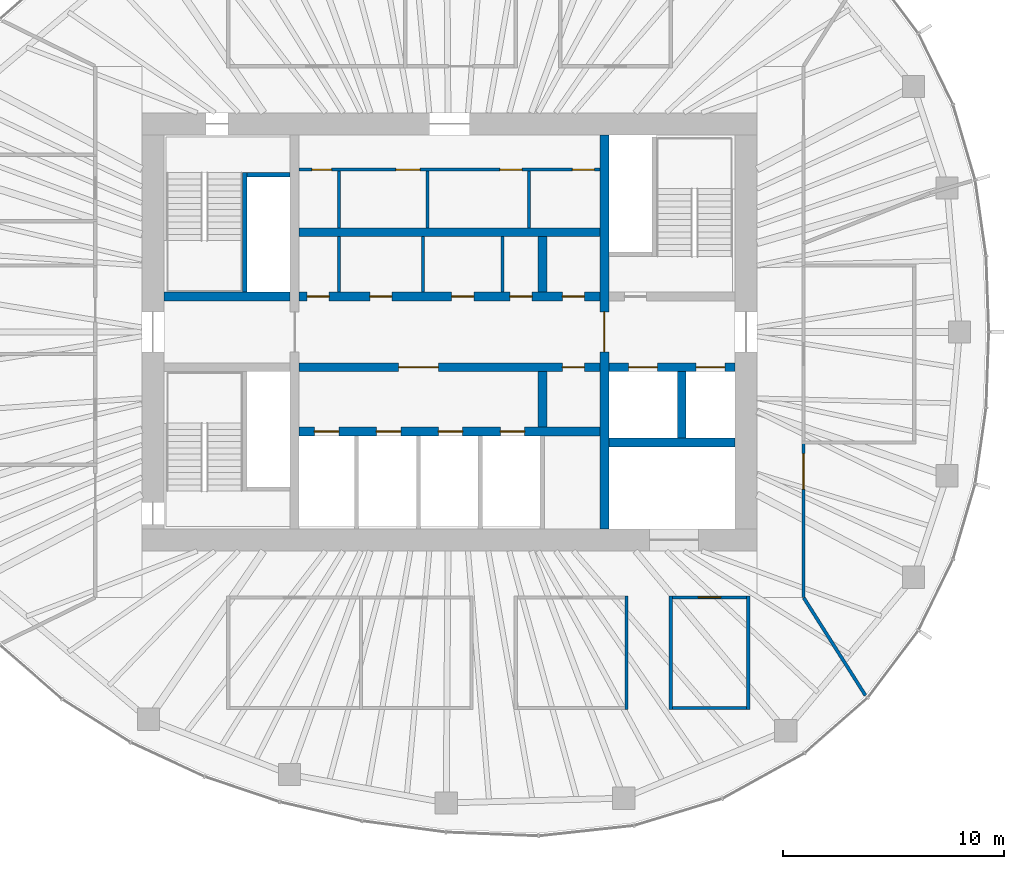
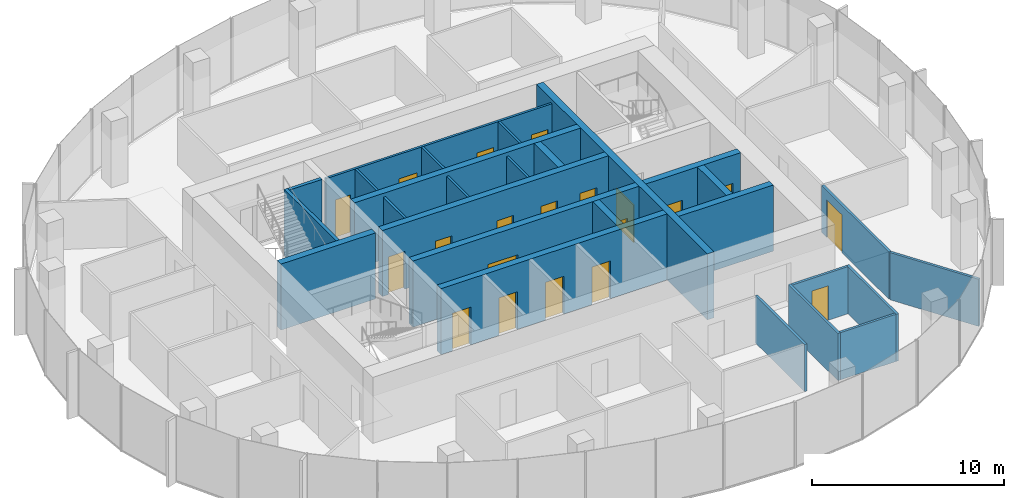
# One storey, part 9 of 11: 27 walls, 20 doors, 20 openings.
"""IFC4 building model written with IfcOpenShell, lengths in metres."""

from ifc_helpers import new_model, si_unit, direction, frame, frame_2d, origin, place, context, subcontext, project, spatial, rectangle, extrude, material, layer, layer_set, type_object, element, fill, save


model = new_model("IFC4")

# Units and contexts
model_context = context("Model", 3, precision=1e-05, world=origin(), true_north=direction((0.0, 1.0)))
body_context = subcontext(model_context, "Body", "Model", "MODEL_VIEW")
ifc_project = project(units=[si_unit("LENGTHUNIT", "METRE"), si_unit("AREAUNIT", "SQUARE_METRE"), si_unit("VOLUMEUNIT", "CUBIC_METRE"), si_unit("PLANEANGLEUNIT", "RADIAN"), si_unit("MASSUNIT", "GRAM", prefix="KILO")], contexts=[model_context])

# Site, building, storey
site_placement = place(None, origin())
site = spatial("IfcSite", under=ifc_project, at=site_placement, CompositionType="ELEMENT")
building_placement = place(site_placement, origin())
building = spatial("IfcBuilding", under=site, at=building_placement, Name="Ghaith Harvest Tower", CompositionType="ELEMENT")
storey_placement = place(building_placement, frame((0.0, 0.0, 330.0)))
storey = spatial("IfcBuildingStorey", under=building, at=storey_placement, Name="L74", CompositionType="ELEMENT", Elevation=330.0)

# Wall, openings, doors
ifc_material_1 = material(Name="Concrete blockwork, fair-faced", Category="masonry")
ifc_layer_1 = layer(ifc_material_1, 0.139892578125)
ifc_layer_set_1 = layer_set([ifc_layer_1], Name="CORE PARTITION 140")
wall_type_1 = type_object("IfcWallType", Name="CORE PARTITION 140", PredefinedType="PARTITIONING", material=ifc_layer_set_1)
wall_1_placement = place(storey_placement, frame((-6.800048828125, 7.330078125, 0.0), z_axis=(0.0, 0.0, 1.0), x_axis=(1.0, 0.0, 0.0)))
wall_1 = element("IfcWall", 1, at=wall_1_placement, inside=storey, type_object=wall_type_1, Name="Core partition L74", PredefinedType="PARTITIONING", context=body_context, shape_type="SweptSolid", body=[
    extrude(rectangle(XDim=13.60009765625, YDim=0.139892578125, at=frame_2d((6.800048828125, 0.0))), origin(), (0.0, 0.0, 1.0), 3.949951171875),
])
opening_1_placement = place(wall_1_placement, frame((0.580078125, 0.0, 0.0)))
opening_1 = element("IfcOpeningElement", 2, at=opening_1_placement, cuts=wall_1, Name="Opening 74-008", PredefinedType="OPENING", context=body_context, shape_type="SweptSolid", body=[
    extrude(rectangle(XDim=0.89990234375, YDim=2.39990234375, at=frame_2d((0.449951171875, 1.199951171875))), frame((0.0, 0.080078125, 0.0), z_axis=(0.0, -1.0, 0.0), x_axis=(1.0, 0.0, 0.0)), (0.0, 0.0, 1.0), 0.159912109375),
])
opening_2_placement = place(wall_1_placement, frame((4.3798828125, 0.0, 0.0)))
opening_2 = element("IfcOpeningElement", 3, at=opening_2_placement, cuts=wall_1, Name="Opening 74-009", PredefinedType="OPENING", context=body_context, shape_type="SweptSolid", body=[
    extrude(rectangle(XDim=1.10009765625, YDim=2.39990234375, at=frame_2d((0.550048828125, 1.199951171875))), frame((0.0, 0.080078125, 0.0), z_axis=(0.0, -1.0, 0.0), x_axis=(1.0, 0.0, 0.0)), (0.0, 0.0, 1.0), 0.159912109375),
])
opening_3_placement = place(wall_1_placement, frame((9.080078125, 0.0, 0.0)))
opening_3 = element("IfcOpeningElement", 4, at=opening_3_placement, cuts=wall_1, Name="Opening 74-010", PredefinedType="OPENING", context=body_context, shape_type="SweptSolid", body=[
    extrude(rectangle(XDim=1.0, YDim=2.39990234375, at=frame_2d((0.5, 1.199951171875))), frame((0.0, 0.080078125, 0.0), z_axis=(0.0, -1.0, 0.0), x_axis=(1.0, 0.0, 0.0)), (0.0, 0.0, 1.0), 0.159912109375),
])
opening_4_placement = place(wall_1_placement, frame((12.35009765625, 0.0, 0.0)))
opening_4 = element("IfcOpeningElement", 5, at=opening_4_placement, cuts=wall_1, Name="Opening 74-011", PredefinedType="OPENING", context=body_context, shape_type="SweptSolid", body=[
    extrude(rectangle(XDim=1.0, YDim=2.39990234375, at=frame_2d((0.5, 1.199951171875))), frame((0.0, 0.080078125, 0.0), z_axis=(0.0, -1.0, 0.0), x_axis=(1.0, 0.0, 0.0)), (0.0, 0.0, 1.0), 0.159912109375),
])
ifc_material_2 = material(Name="Steel fire door", Category="steel")
door_type_1 = type_object("IfcDoorType", Name="D3 FD90 1000x2400", OperationType="SINGLE_SWING_LEFT", PredefinedType="DOOR", material=ifc_material_2)
door_1_placement = place(opening_3_placement, origin())
door_1 = element("IfcDoor", 6, at=door_1_placement, inside=storey, type_object=door_type_1, Name="Male WC door", OperationType="SINGLE_SWING_RIGHT", OverallHeight=2.39990234375, OverallWidth=1.0, PredefinedType="DOOR", context=body_context, shape_type="SweptSolid", body=[
    extrude(rectangle(XDim=1.0, YDim=2.39990234375, at=frame_2d((0.5, 1.199951171875))), frame((0.0, 0.02490234375, 0.0), z_axis=(0.0, -1.0, 0.0), x_axis=(1.0, 0.0, 0.0)), (0.0, 0.0, 1.0), 0.050048828125),
])
fill(opening_3, door_1)
door_2_placement = place(opening_4_placement, origin())
door_2 = element("IfcDoor", 7, at=door_2_placement, inside=storey, type_object=door_type_1, Name="Female WC door", OperationType="SINGLE_SWING_RIGHT", OverallHeight=2.39990234375, OverallWidth=1.0, PredefinedType="DOOR", context=body_context, shape_type="SweptSolid", body=[
    extrude(rectangle(XDim=1.0, YDim=2.39990234375, at=frame_2d((0.5, 1.199951171875))), frame((0.0, 0.02490234375, 0.0), z_axis=(0.0, -1.0, 0.0), x_axis=(1.0, 0.0, 0.0)), (0.0, 0.0, 1.0), 0.050048828125),
])
fill(opening_4, door_2)
ifc_material_3 = material(Name="Steel fire door", Category="steel")
door_type_2 = type_object("IfcDoorType", Name="D5 FD90 900x2400", OperationType="SINGLE_SWING_LEFT", PredefinedType="DOOR", material=ifc_material_3)
door_3_placement = place(opening_1_placement, origin())
door_3 = element("IfcDoor", 8, at=door_3_placement, inside=storey, type_object=door_type_2, Name="Cleaner's store door", OperationType="SINGLE_SWING_LEFT", OverallHeight=2.39990234375, OverallWidth=0.89990234375, PredefinedType="DOOR", context=body_context, shape_type="SweptSolid", body=[
    extrude(rectangle(XDim=0.89990234375, YDim=2.39990234375, at=frame_2d((0.449951171875, 1.199951171875))), frame((0.0, 0.02490234375, 0.0), z_axis=(0.0, -1.0, 0.0), x_axis=(1.0, 0.0, 0.0)), (0.0, 0.0, 1.0), 0.050048828125),
])
fill(opening_1, door_3)
ifc_material_4 = material(Name="Steel fire door", Category="steel")
door_type_3 = type_object("IfcDoorType", Name="D9 FD90 1100x2400", OperationType="SINGLE_SWING_LEFT", PredefinedType="DOOR", material=ifc_material_4)
door_4_placement = place(opening_2_placement, origin())
door_4 = element("IfcDoor", 9, at=door_4_placement, inside=storey, type_object=door_type_3, Name="Accessible WC door", OperationType="SINGLE_SWING_LEFT", OverallHeight=2.39990234375, OverallWidth=1.10009765625, PredefinedType="DOOR", context=body_context, shape_type="SweptSolid", body=[
    extrude(rectangle(XDim=1.10009765625, YDim=2.39990234375, at=frame_2d((0.550048828125, 1.199951171875))), frame((0.0, 0.02490234375, 0.0), z_axis=(0.0, -1.0, 0.0), x_axis=(1.0, 0.0, 0.0)), (0.0, 0.0, 1.0), 0.050048828125),
])
fill(opening_2, door_4)

# Walls
for number, where, z_axis, x_axis, name in (
    (10, (-5.0, 4.699951171875, 0.0), (0.0, 0.0, 1.0), (0.0, 1.0, 0.0), "Core partition L74"),
    (11, (-1.0, 4.699951171875, 0.0), (0.0, 0.0, 1.0), (0.0, 1.0, 0.0), "Core partition L74"),
    (12, (3.60009765625, 4.699951171875, 0.0), (0.0, 0.0, 1.0), (0.0, 1.0, 0.0), "Core partition L74"),
):
    element("IfcWall", number, at=place(storey_placement, frame(where, z_axis=z_axis, x_axis=x_axis)), inside=storey, type_object=wall_type_1, Name=name, PredefinedType="PARTITIONING", context=body_context, shape_type="SweptSolid", body=[
        extrude(rectangle(XDim=2.56005859375, YDim=0.139892578125, at=frame_2d((1.280029296875, 0.0))), origin(), (0.0, 0.0, 1.0), 3.949951171875),
    ])
for number, where, z_axis, x_axis, name in (
    (13, (-5.0, 1.800048828125, 0.0), (0.0, 0.0, 1.0), (0.0, 1.0, 0.0), "Core partition L74"),
    (14, (-1.199951171875, 1.800048828125, 0.0), (0.0, 0.0, 1.0), (0.0, 1.0, 0.0), "Core partition L74"),
    (15, (2.39990234375, 1.800048828125, 0.0), (0.0, 0.0, 1.0), (0.0, 1.0, 0.0), "Core partition L74"),
):
    element("IfcWall", number, at=place(storey_placement, frame(where, z_axis=z_axis, x_axis=x_axis)), inside=storey, type_object=wall_type_1, Name=name, PredefinedType="PARTITIONING", context=body_context, shape_type="SweptSolid", body=[
        extrude(rectangle(XDim=2.5, YDim=0.139892578125, at=frame_2d((1.25, 0.0))), origin(), (0.0, 0.0, 1.0), 3.949951171875),
    ])
ifc_material_5 = material(Name="Gypsum board on steel studs", Category="steel")
ifc_layer_2 = layer(ifc_material_5, 0.14990234375)
ifc_layer_set_2 = layer_set([ifc_layer_2], Name="PARTITION 150")
wall_type_2 = type_object("IfcWallType", Name="PARTITION 150", PredefinedType="PARTITIONING", material=ifc_layer_set_2)
for number, where, z_axis, x_axis, name in (
    (16, (8.0, -11.925048828125, 0.0), (0.0, 0.0, 1.0), (0.0, -1.0, 0.0), "Partition L74 row S4 cross wall 2"),
    (17, (10.0, -11.925048828125, 0.0), (0.0, 0.0, 1.0), (0.0, -1.0, 0.0), "Partition L74 row S7 cross wall 1"),
    (18, (13.5, -11.925048828125, 0.0), (0.0, 0.0, 1.0), (0.0, -1.0, 0.0), "Partition L74 row S7 cross wall 2"),
):
    element("IfcWall", number, at=place(storey_placement, frame(where, z_axis=z_axis, x_axis=x_axis)), inside=storey, type_object=wall_type_2, Name=name, PredefinedType="PARTITIONING", context=body_context, shape_type="SweptSolid", body=[
        extrude(rectangle(XDim=5.14990234375, YDim=0.14990234375, at=frame_2d((2.574951171875, 0.0))), origin(), (0.0, 0.0, 1.0), 3.0),
    ])

# Wall, opening, door
wall_2_placement = place(storey_placement, frame((10.074951171875, -12.0, 0.0), z_axis=(0.0, 0.0, 1.0), x_axis=(1.0, 0.0, 0.0)))
wall_2 = element("IfcWall", 19, at=wall_2_placement, inside=storey, type_object=wall_type_2, Name="Partition L74-10", PredefinedType="PARTITIONING", context=body_context, shape_type="SweptSolid", body=[
    extrude(rectangle(XDim=3.35009765625, YDim=0.14990234375, at=frame_2d((1.675048828125, 0.0))), origin(), (0.0, 0.0, 1.0), 3.0),
])
opening_5_placement = place(wall_2_placement, frame((1.175048828125, 0.0, 0.0)))
opening_5 = element("IfcOpeningElement", 20, at=opening_5_placement, cuts=wall_2, Name="Opening 74-036", PredefinedType="OPENING", context=body_context, shape_type="SweptSolid", body=[
    extrude(rectangle(XDim=1.0, YDim=2.199951171875, at=frame_2d((0.5, 1.10009765625))), frame((0.0, 0.0849609375, 0.0), z_axis=(0.0, -1.0, 0.0), x_axis=(1.0, 0.0, 0.0)), (0.0, 0.0, 1.0), 0.169921875),
])
ifc_material_6 = material(Name="Timber door", Category="wood")
door_type_4 = type_object("IfcDoorType", Name="D1 SINGLE 1000x2200", OperationType="SINGLE_SWING_LEFT", PredefinedType="DOOR", material=ifc_material_6)
door_5_placement = place(opening_5_placement, origin())
door_5 = element("IfcDoor", 21, at=door_5_placement, inside=storey, type_object=door_type_4, Name="Store door", OperationType="SINGLE_SWING_LEFT", OverallHeight=2.199951171875, OverallWidth=1.0, PredefinedType="DOOR", context=body_context, shape_type="SweptSolid", body=[
    extrude(rectangle(XDim=1.0, YDim=2.199951171875, at=frame_2d((0.5, 1.10009765625))), frame((0.0, 0.02490234375, 0.0), z_axis=(0.0, -1.0, 0.0), x_axis=(1.0, 0.0, 0.0)), (0.0, 0.0, 1.0), 0.050048828125),
])
fill(opening_5, door_5)

# Walls
wall_3_placement = place(storey_placement, frame((10.074951171875, -17.0, 0.0), z_axis=(0.0, 0.0, 1.0), x_axis=(1.0, 0.0, 0.0)))
element("IfcWall", 22, at=wall_3_placement, inside=storey, type_object=wall_type_2, Name="Partition L74-10", PredefinedType="PARTITIONING", context=body_context, shape_type="SweptSolid", body=[
    extrude(rectangle(XDim=3.35009765625, YDim=0.14990234375, at=frame_2d((1.675048828125, 0.0))), origin(), (0.0, 0.0, 1.0), 3.0),
])
wall_4_placement = place(storey_placement, frame((16.0107421875, -12.016845703125, 0.0), z_axis=(0.0, 0.0, 1.0), x_axis=(0.53415837449, -0.845384427916, 0.0)))
element("IfcWall", 23, at=wall_4_placement, inside=storey, type_object=wall_type_2, Name="Partition L74 zone division", PredefinedType="PARTITIONING", context=body_context, shape_type="SweptSolid", body=[
    extrude(rectangle(XDim=5.220458984375, YDim=0.14990234375, at=frame_2d((2.6103515625, 0.0))), origin(), (0.0, 0.0, 1.0), 3.0),
])

# Wall, opening, door
wall_5_placement = place(storey_placement, frame((16.0, -12.0, 0.0), z_axis=(0.0, 0.0, 1.0), x_axis=(0.0, 1.0, 0.0)))
wall_5 = element("IfcWall", 24, at=wall_5_placement, inside=storey, type_object=wall_type_2, Name="Partition L74 zone enclosure", PredefinedType="PARTITIONING", context=body_context, shape_type="SweptSolid", body=[
    extrude(rectangle(XDim=7.0, YDim=0.14990234375, at=frame_2d((3.5, 0.0))), origin(), (0.0, 0.0, 1.0), 3.0),
])
opening_6_placement = place(wall_5_placement, frame((4.89990234375, 0.0, 0.0)))
opening_6 = element("IfcOpeningElement", 25, at=opening_6_placement, cuts=wall_5, Name="Opening 74-039", PredefinedType="OPENING", context=body_context, shape_type="SweptSolid", body=[
    extrude(rectangle(XDim=1.60009765625, YDim=2.39990234375, at=frame_2d((0.800048828125, 1.199951171875))), frame((0.0, 0.0849609375, 0.0), z_axis=(0.0, -1.0, 0.0), x_axis=(1.0, 0.0, 0.0)), (0.0, 0.0, 1.0), 0.169921875),
])
ifc_material_7 = material(Name="Timber door", Category="wood")
door_type_5 = type_object("IfcDoorType", Name="D2 PAIR 1600x2400", OperationType="DOUBLE_DOOR_SINGLE_SWING", PredefinedType="DOOR", material=ifc_material_7)
door_6_placement = place(opening_6_placement, origin())
door_6 = element("IfcDoor", 26, at=door_6_placement, inside=storey, type_object=door_type_5, Name="Chef's growing area east 2 door", OperationType="DOUBLE_DOOR_SINGLE_SWING", OverallHeight=2.39990234375, OverallWidth=1.60009765625, PredefinedType="DOOR", context=body_context, shape_type="SweptSolid", body=[
    extrude(rectangle(XDim=1.60009765625, YDim=2.39990234375, at=frame_2d((0.800048828125, 1.199951171875))), frame((0.0, 0.02490234375, 0.0), z_axis=(0.0, -1.0, 0.0), x_axis=(1.0, 0.0, 0.0)), (0.0, 0.0, 1.0), 0.050048828125),
])
fill(opening_6, door_6)

ifc_material_8 = material(Name="Concrete C70/85", Category="concrete")
ifc_layer_3 = layer(ifc_material_8, 0.39990234375)
ifc_layer_set_3 = layer_set([ifc_layer_3], Name="SHAFT WALL 400")
wall_type_3 = type_object("IfcWallType", Name="SHAFT WALL 400", PredefinedType="SHEAR", material=ifc_layer_set_3)
wall_6_placement = place(storey_placement, frame((7.0, -8.89990234375, 0.0), z_axis=(0.0, 0.0, 1.0), x_axis=(0.0, 1.0, 0.0)))
wall_6 = element("IfcWall", 27, at=wall_6_placement, inside=storey, type_object=wall_type_3, Name="Shaft wall W7E L74", PredefinedType="SHEAR", context=body_context, shape_type="SweptSolid", body=[
    extrude(rectangle(XDim=17.7998046875, YDim=0.39990234375, at=frame_2d((8.89990234375, 0.0))), origin(), (0.0, 0.0, 1.0), 4.199951171875),
])
opening_7_placement = place(wall_6_placement, frame((8.0, 0.0, 0.0)))
opening_7 = element("IfcOpeningElement", 28, at=opening_7_placement, cuts=wall_6, Name="Opening 74-004", PredefinedType="OPENING", context=body_context, shape_type="SweptSolid", body=[
    extrude(rectangle(XDim=1.800048828125, YDim=2.39990234375, at=frame_2d((0.89990234375, 1.199951171875))), frame((0.0, 0.2099609375, 0.0), z_axis=(0.0, -1.0, 0.0), x_axis=(1.0, 0.0, 0.0)), (0.0, 0.0, 1.0), 0.419921875),
])
ifc_material_9 = material(Name="Steel fire door", Category="steel")
door_type_6 = type_object("IfcDoorType", Name="D4 FD90 PAIR 1800x2400", OperationType="DOUBLE_DOOR_SINGLE_SWING", PredefinedType="DOOR", material=ifc_material_9)
door_7_placement = place(opening_7_placement, origin())
door_7 = element("IfcDoor", 29, at=door_7_placement, inside=storey, type_object=door_type_6, Name="Lift lobby doors, east", OperationType="DOUBLE_DOOR_SINGLE_SWING", OverallHeight=2.39990234375, OverallWidth=1.800048828125, PredefinedType="DOOR", context=body_context, shape_type="SweptSolid", body=[
    extrude(rectangle(XDim=1.800048828125, YDim=2.39990234375, at=frame_2d((0.89990234375, 1.199951171875))), frame((0.0, 0.02490234375, 0.0), z_axis=(0.0, -1.0, 0.0), x_axis=(1.0, 0.0, 0.0)), (0.0, 0.0, 1.0), 0.050048828125),
])
fill(opening_7, door_7)

# Wall, openings, doors
wall_7_placement = place(storey_placement, frame((-6.800048828125, 1.60009765625, 0.0), z_axis=(0.0, 0.0, 1.0), x_axis=(1.0, 0.0, 0.0)))
wall_7 = element("IfcWall", 30, at=wall_7_placement, inside=storey, type_object=wall_type_3, Name="Shaft wall LN L74", PredefinedType="SHEAR", context=body_context, shape_type="SweptSolid", body=[
    extrude(rectangle(XDim=13.60009765625, YDim=0.39990234375, at=frame_2d((6.800048828125, 0.0))), origin(), (0.0, 0.0, 1.0), 4.199951171875),
])
opening_8_placement = place(wall_7_placement, frame((0.364990234375, 0.0, 0.0)))
opening_8 = element("IfcOpeningElement", 31, at=opening_8_placement, cuts=wall_7, Name="Opening 74-012", PredefinedType="OPENING", context=body_context, shape_type="SweptSolid", body=[
    extrude(rectangle(XDim=1.0, YDim=2.39990234375, at=frame_2d((0.5, 1.199951171875))), frame((0.0, 0.2099609375, 0.0), z_axis=(0.0, -1.0, 0.0), x_axis=(1.0, 0.0, 0.0)), (0.0, 0.0, 1.0), 0.419921875),
])
opening_9_placement = place(wall_7_placement, frame((3.199951171875, 0.0, 0.0)))
opening_9 = element("IfcOpeningElement", 32, at=opening_9_placement, cuts=wall_7, Name="Opening 74-013", PredefinedType="OPENING", context=body_context, shape_type="SweptSolid", body=[
    extrude(rectangle(XDim=1.0, YDim=2.39990234375, at=frame_2d((0.5, 1.199951171875))), frame((0.0, 0.2099609375, 0.0), z_axis=(0.0, -1.0, 0.0), x_axis=(1.0, 0.0, 0.0)), (0.0, 0.0, 1.0), 0.419921875),
])
opening_10_placement = place(wall_7_placement, frame((6.89990234375, 0.0, 0.0)))
opening_10 = element("IfcOpeningElement", 33, at=opening_10_placement, cuts=wall_7, Name="Opening 74-014", PredefinedType="OPENING", context=body_context, shape_type="SweptSolid", body=[
    extrude(rectangle(XDim=1.0, YDim=2.39990234375, at=frame_2d((0.5, 1.199951171875))), frame((0.0, 0.2099609375, 0.0), z_axis=(0.0, -1.0, 0.0), x_axis=(1.0, 0.0, 0.0)), (0.0, 0.0, 1.0), 0.419921875),
])
opening_11_placement = place(wall_7_placement, frame((9.534912109375, 0.0, 0.0)))
opening_11 = element("IfcOpeningElement", 34, at=opening_11_placement, cuts=wall_7, Name="Opening 74-015", PredefinedType="OPENING", context=body_context, shape_type="SweptSolid", body=[
    extrude(rectangle(XDim=1.0, YDim=2.39990234375, at=frame_2d((0.5, 1.199951171875))), frame((0.0, 0.2099609375, 0.0), z_axis=(0.0, -1.0, 0.0), x_axis=(1.0, 0.0, 0.0)), (0.0, 0.0, 1.0), 0.419921875),
])
opening_12_placement = place(wall_7_placement, frame((11.89990234375, 0.0, 0.0)))
opening_12 = element("IfcOpeningElement", 35, at=opening_12_placement, cuts=wall_7, Name="Opening 74-016", PredefinedType="OPENING", context=body_context, shape_type="SweptSolid", body=[
    extrude(rectangle(XDim=1.0, YDim=2.39990234375, at=frame_2d((0.5, 1.199951171875))), frame((0.0, 0.2099609375, 0.0), z_axis=(0.0, -1.0, 0.0), x_axis=(1.0, 0.0, 0.0)), (0.0, 0.0, 1.0), 0.419921875),
])
door_8_placement = place(opening_8_placement, origin())
door_8 = element("IfcDoor", 36, at=door_8_placement, inside=storey, type_object=door_type_1, Name="Electrical room door", OperationType="SINGLE_SWING_LEFT", OverallHeight=2.39990234375, OverallWidth=1.0, PredefinedType="DOOR", context=body_context, shape_type="SweptSolid", body=[
    extrude(rectangle(XDim=1.0, YDim=2.39990234375, at=frame_2d((0.5, 1.199951171875))), frame((0.0, 0.02490234375, 0.0), z_axis=(0.0, -1.0, 0.0), x_axis=(1.0, 0.0, 0.0)), (0.0, 0.0, 1.0), 0.050048828125),
])
fill(opening_8, door_8)
door_9_placement = place(opening_9_placement, origin())
door_9 = element("IfcDoor", 37, at=door_9_placement, inside=storey, type_object=door_type_1, Name="Communications equipment room door", OperationType="SINGLE_SWING_LEFT", OverallHeight=2.39990234375, OverallWidth=1.0, PredefinedType="DOOR", context=body_context, shape_type="SweptSolid", body=[
    extrude(rectangle(XDim=1.0, YDim=2.39990234375, at=frame_2d((0.5, 1.199951171875))), frame((0.0, 0.02490234375, 0.0), z_axis=(0.0, -1.0, 0.0), x_axis=(1.0, 0.0, 0.0)), (0.0, 0.0, 1.0), 0.050048828125),
])
fill(opening_9, door_9)
door_10_placement = place(opening_10_placement, origin())
door_10 = element("IfcDoor", 38, at=door_10_placement, inside=storey, type_object=door_type_1, Name="Security room door", OperationType="SINGLE_SWING_RIGHT", OverallHeight=2.39990234375, OverallWidth=1.0, PredefinedType="DOOR", context=body_context, shape_type="SweptSolid", body=[
    extrude(rectangle(XDim=1.0, YDim=2.39990234375, at=frame_2d((0.5, 1.199951171875))), frame((0.0, 0.02490234375, 0.0), z_axis=(0.0, -1.0, 0.0), x_axis=(1.0, 0.0, 0.0)), (0.0, 0.0, 1.0), 0.050048828125),
])
fill(opening_10, door_10)
door_11_placement = place(opening_11_placement, origin())
door_11 = element("IfcDoor", 39, at=door_11_placement, inside=storey, type_object=door_type_1, Name="IT equipment room door", OperationType="SINGLE_SWING_RIGHT", OverallHeight=2.39990234375, OverallWidth=1.0, PredefinedType="DOOR", context=body_context, shape_type="SweptSolid", body=[
    extrude(rectangle(XDim=1.0, YDim=2.39990234375, at=frame_2d((0.5, 1.199951171875))), frame((0.0, 0.02490234375, 0.0), z_axis=(0.0, -1.0, 0.0), x_axis=(1.0, 0.0, 0.0)), (0.0, 0.0, 1.0), 0.050048828125),
])
fill(opening_11, door_11)
door_12_placement = place(opening_12_placement, origin())
door_12 = element("IfcDoor", 40, at=door_12_placement, inside=storey, type_object=door_type_1, Name="IT equipment room door", OperationType="SINGLE_SWING_RIGHT", OverallHeight=2.39990234375, OverallWidth=1.0, PredefinedType="DOOR", context=body_context, shape_type="SweptSolid", body=[
    extrude(rectangle(XDim=1.0, YDim=2.39990234375, at=frame_2d((0.5, 1.199951171875))), frame((0.0, 0.02490234375, 0.0), z_axis=(0.0, -1.0, 0.0), x_axis=(1.0, 0.0, 0.0)), (0.0, 0.0, 1.0), 0.050048828125),
])
fill(opening_12, door_12)

wall_8_placement = place(storey_placement, frame((-6.800048828125, -1.60009765625, 0.0), z_axis=(0.0, 0.0, 1.0), x_axis=(1.0, 0.0, 0.0)))
wall_8 = element("IfcWall", 41, at=wall_8_placement, inside=storey, type_object=wall_type_3, Name="Shaft wall LS L74", PredefinedType="SHEAR", context=body_context, shape_type="SweptSolid", body=[
    extrude(rectangle(XDim=13.60009765625, YDim=0.39990234375, at=frame_2d((6.800048828125, 0.0))), origin(), (0.0, 0.0, 1.0), 4.199951171875),
])
opening_13_placement = place(wall_8_placement, frame((11.89990234375, 0.0, 0.0)))
opening_13 = element("IfcOpeningElement", 42, at=opening_13_placement, cuts=wall_8, Name="Opening 74-017", PredefinedType="OPENING", context=body_context, shape_type="SweptSolid", body=[
    extrude(rectangle(XDim=1.0, YDim=2.39990234375, at=frame_2d((0.5, 1.199951171875))), frame((0.0, 0.2099609375, 0.0), z_axis=(0.0, -1.0, 0.0), x_axis=(1.0, 0.0, 0.0)), (0.0, 0.0, 1.0), 0.419921875),
])
opening_14_placement = place(wall_8_placement, frame((4.5, 0.0, 0.0)))
opening_14 = element("IfcOpeningElement", 43, at=opening_14_placement, cuts=wall_8, Name="Opening 74-018", PredefinedType="OPENING", context=body_context, shape_type="SweptSolid", body=[
    extrude(rectangle(XDim=1.800048828125, YDim=2.39990234375, at=frame_2d((0.89990234375, 1.199951171875))), frame((0.0, 0.2099609375, 0.0), z_axis=(0.0, -1.0, 0.0), x_axis=(1.0, 0.0, 0.0)), (0.0, 0.0, 1.0), 0.419921875),
])
door_13_placement = place(opening_13_placement, origin())
door_13 = element("IfcDoor", 44, at=door_13_placement, inside=storey, type_object=door_type_1, Name="Vending point door", OperationType="SINGLE_SWING_RIGHT", OverallHeight=2.39990234375, OverallWidth=1.0, PredefinedType="DOOR", context=body_context, shape_type="SweptSolid", body=[
    extrude(rectangle(XDim=1.0, YDim=2.39990234375, at=frame_2d((0.5, 1.199951171875))), frame((0.0, 0.02490234375, 0.0), z_axis=(0.0, -1.0, 0.0), x_axis=(1.0, 0.0, 0.0)), (0.0, 0.0, 1.0), 0.050048828125),
])
fill(opening_13, door_13)
door_14_placement = place(opening_14_placement, origin())
door_14 = element("IfcDoor", 45, at=door_14_placement, inside=storey, type_object=door_type_6, Name="Lift lobby doors, upper-zone bank", OperationType="DOUBLE_DOOR_SINGLE_SWING", OverallHeight=2.39990234375, OverallWidth=1.800048828125, PredefinedType="DOOR", context=body_context, shape_type="SweptSolid", body=[
    extrude(rectangle(XDim=1.800048828125, YDim=2.39990234375, at=frame_2d((0.89990234375, 1.199951171875))), frame((0.0, 0.02490234375, 0.0), z_axis=(0.0, -1.0, 0.0), x_axis=(1.0, 0.0, 0.0)), (0.0, 0.0, 1.0), 0.050048828125),
])
fill(opening_14, door_14)

# Wall
wall_9_placement = place(storey_placement, frame((-6.800048828125, 4.5, 0.0), z_axis=(0.0, 0.0, 1.0), x_axis=(1.0, 0.0, 0.0)))
element("IfcWall", 46, at=wall_9_placement, inside=storey, type_object=wall_type_3, Name="Shaft wall BN L74", PredefinedType="SHEAR", context=body_context, shape_type="SweptSolid", body=[
    extrude(rectangle(XDim=13.60009765625, YDim=0.39990234375, at=frame_2d((6.800048828125, 0.0))), origin(), (0.0, 0.0, 1.0), 4.199951171875),
])

# Wall, openings, doors
wall_10_placement = place(storey_placement, frame((-6.800048828125, -4.5, 0.0), z_axis=(0.0, 0.0, 1.0), x_axis=(1.0, 0.0, 0.0)))
wall_10 = element("IfcWall", 47, at=wall_10_placement, inside=storey, type_object=wall_type_3, Name="Shaft wall BS L74", PredefinedType="SHEAR", context=body_context, shape_type="SweptSolid", body=[
    extrude(rectangle(XDim=13.60009765625, YDim=0.39990234375, at=frame_2d((6.800048828125, 0.0))), origin(), (0.0, 0.0, 1.0), 4.199951171875),
])
opening_15_placement = place(wall_10_placement, frame((0.699951171875, 0.0, 0.0)))
opening_15 = element("IfcOpeningElement", 48, at=opening_15_placement, cuts=wall_10, Name="Opening 74-020", PredefinedType="OPENING", context=body_context, shape_type="SweptSolid", body=[
    extrude(rectangle(XDim=1.10009765625, YDim=2.39990234375, at=frame_2d((0.550048828125, 1.199951171875))), frame((0.0, 0.2099609375, 0.0), z_axis=(0.0, -1.0, 0.0), x_axis=(1.0, 0.0, 0.0)), (0.0, 0.0, 1.0), 0.419921875),
])
opening_16_placement = place(wall_10_placement, frame((3.5, 0.0, 0.0)))
opening_16 = element("IfcOpeningElement", 49, at=opening_16_placement, cuts=wall_10, Name="Opening 74-021", PredefinedType="OPENING", context=body_context, shape_type="SweptSolid", body=[
    extrude(rectangle(XDim=1.10009765625, YDim=2.39990234375, at=frame_2d((0.550048828125, 1.199951171875))), frame((0.0, 0.2099609375, 0.0), z_axis=(0.0, -1.0, 0.0), x_axis=(1.0, 0.0, 0.0)), (0.0, 0.0, 1.0), 0.419921875),
])
opening_17_placement = place(wall_10_placement, frame((6.300048828125, 0.0, 0.0)))
opening_17 = element("IfcOpeningElement", 50, at=opening_17_placement, cuts=wall_10, Name="Opening 74-022", PredefinedType="OPENING", context=body_context, shape_type="SweptSolid", body=[
    extrude(rectangle(XDim=1.10009765625, YDim=2.39990234375, at=frame_2d((0.550048828125, 1.199951171875))), frame((0.0, 0.2099609375, 0.0), z_axis=(0.0, -1.0, 0.0), x_axis=(1.0, 0.0, 0.0)), (0.0, 0.0, 1.0), 0.419921875),
])
opening_18_placement = place(wall_10_placement, frame((9.10009765625, 0.0, 0.0)))
opening_18 = element("IfcOpeningElement", 51, at=opening_18_placement, cuts=wall_10, Name="Opening 74-023", PredefinedType="OPENING", context=body_context, shape_type="SweptSolid", body=[
    extrude(rectangle(XDim=1.10009765625, YDim=2.39990234375, at=frame_2d((0.550048828125, 1.199951171875))), frame((0.0, 0.2099609375, 0.0), z_axis=(0.0, -1.0, 0.0), x_axis=(1.0, 0.0, 0.0)), (0.0, 0.0, 1.0), 0.419921875),
])
ifc_material_10 = material(Name="Steel fire door", Category="steel")
door_type_7 = type_object("IfcDoorType", Name="LD1 LANDING 1100x2400", OperationType="DOUBLE_DOOR_SLIDING", PredefinedType="DOOR", material=ifc_material_10)
door_15_placement = place(opening_15_placement, origin())
door_15 = element("IfcDoor", 52, at=door_15_placement, inside=storey, type_object=door_type_7, Name="Landing door, lift TR1", OperationType="DOUBLE_DOOR_SLIDING", OverallHeight=2.39990234375, OverallWidth=1.10009765625, PredefinedType="DOOR", context=body_context, shape_type="SweptSolid", body=[
    extrude(rectangle(XDim=1.10009765625, YDim=2.39990234375, at=frame_2d((0.550048828125, 1.199951171875))), frame((0.0, 0.02490234375, 0.0), z_axis=(0.0, -1.0, 0.0), x_axis=(1.0, 0.0, 0.0)), (0.0, 0.0, 1.0), 0.050048828125),
])
fill(opening_15, door_15)
door_16_placement = place(opening_16_placement, origin())
door_16 = element("IfcDoor", 53, at=door_16_placement, inside=storey, type_object=door_type_7, Name="Landing door, lift TR2", OperationType="DOUBLE_DOOR_SLIDING", OverallHeight=2.39990234375, OverallWidth=1.10009765625, PredefinedType="DOOR", context=body_context, shape_type="SweptSolid", body=[
    extrude(rectangle(XDim=1.10009765625, YDim=2.39990234375, at=frame_2d((0.550048828125, 1.199951171875))), frame((0.0, 0.02490234375, 0.0), z_axis=(0.0, -1.0, 0.0), x_axis=(1.0, 0.0, 0.0)), (0.0, 0.0, 1.0), 0.050048828125),
])
fill(opening_16, door_16)
door_17_placement = place(opening_17_placement, origin())
door_17 = element("IfcDoor", 54, at=door_17_placement, inside=storey, type_object=door_type_7, Name="Landing door, lift TR3", OperationType="DOUBLE_DOOR_SLIDING", OverallHeight=2.39990234375, OverallWidth=1.10009765625, PredefinedType="DOOR", context=body_context, shape_type="SweptSolid", body=[
    extrude(rectangle(XDim=1.10009765625, YDim=2.39990234375, at=frame_2d((0.550048828125, 1.199951171875))), frame((0.0, 0.02490234375, 0.0), z_axis=(0.0, -1.0, 0.0), x_axis=(1.0, 0.0, 0.0)), (0.0, 0.0, 1.0), 0.050048828125),
])
fill(opening_17, door_17)
door_18_placement = place(opening_18_placement, origin())
door_18 = element("IfcDoor", 55, at=door_18_placement, inside=storey, type_object=door_type_7, Name="Landing door, lift TR4", OperationType="DOUBLE_DOOR_SLIDING", OverallHeight=2.39990234375, OverallWidth=1.10009765625, PredefinedType="DOOR", context=body_context, shape_type="SweptSolid", body=[
    extrude(rectangle(XDim=1.10009765625, YDim=2.39990234375, at=frame_2d((0.550048828125, 1.199951171875))), frame((0.0, 0.02490234375, 0.0), z_axis=(0.0, -1.0, 0.0), x_axis=(1.0, 0.0, 0.0)), (0.0, 0.0, 1.0), 0.050048828125),
])
fill(opening_18, door_18)

# Wall
wall_11_placement = place(storey_placement, frame((-12.89990234375, 1.60009765625, 0.0), z_axis=(0.0, 0.0, 1.0), x_axis=(1.0, 0.0, 0.0)))
element("IfcWall", 56, at=wall_11_placement, inside=storey, type_object=wall_type_3, Name="Shaft wall WN L74", PredefinedType="SHEAR", context=body_context, shape_type="SweptSolid", body=[
    extrude(rectangle(XDim=5.699951171875, YDim=0.39990234375, at=frame_2d((2.85009765625, 0.0))), origin(), (0.0, 0.0, 1.0), 4.199951171875),
])

# Wall, openings, doors
wall_12_placement = place(storey_placement, frame((7.199951171875, -1.60009765625, 0.0), z_axis=(0.0, 0.0, 1.0), x_axis=(1.0, 0.0, 0.0)))
wall_12 = element("IfcWall", 57, at=wall_12_placement, inside=storey, type_object=wall_type_3, Name="Shaft wall ES L74", PredefinedType="SHEAR", context=body_context, shape_type="SweptSolid", body=[
    extrude(rectangle(XDim=5.699951171875, YDim=0.39990234375, at=frame_2d((2.85009765625, 0.0))), origin(), (0.0, 0.0, 1.0), 4.199951171875),
])
opening_19_placement = place(wall_12_placement, frame((0.89990234375, 0.0, 0.0)))
opening_19 = element("IfcOpeningElement", 58, at=opening_19_placement, cuts=wall_12, Name="Opening 74-024", PredefinedType="OPENING", context=body_context, shape_type="SweptSolid", body=[
    extrude(rectangle(XDim=1.300048828125, YDim=2.39990234375, at=frame_2d((0.64990234375, 1.199951171875))), frame((0.0, 0.2099609375, 0.0), z_axis=(0.0, -1.0, 0.0), x_axis=(1.0, 0.0, 0.0)), (0.0, 0.0, 1.0), 0.419921875),
])
opening_20_placement = place(wall_12_placement, frame((3.949951171875, 0.0, 0.0)))
opening_20 = element("IfcOpeningElement", 59, at=opening_20_placement, cuts=wall_12, Name="Opening 74-025", PredefinedType="OPENING", context=body_context, shape_type="SweptSolid", body=[
    extrude(rectangle(XDim=1.300048828125, YDim=2.39990234375, at=frame_2d((0.64990234375, 1.199951171875))), frame((0.0, 0.2099609375, 0.0), z_axis=(0.0, -1.0, 0.0), x_axis=(1.0, 0.0, 0.0)), (0.0, 0.0, 1.0), 0.419921875),
])
ifc_material_11 = material(Name="Steel fire door", Category="steel")
door_type_8 = type_object("IfcDoorType", Name="LD2 LANDING 1300x2400", OperationType="DOUBLE_DOOR_SLIDING", PredefinedType="DOOR", material=ifc_material_11)
door_19_placement = place(opening_19_placement, origin())
door_19 = element("IfcDoor", 60, at=door_19_placement, inside=storey, type_object=door_type_8, Name="Landing door, fire service lift FL1", OperationType="DOUBLE_DOOR_SLIDING", OverallHeight=2.39990234375, OverallWidth=1.300048828125, PredefinedType="DOOR", context=body_context, shape_type="SweptSolid", body=[
    extrude(rectangle(XDim=1.300048828125, YDim=2.39990234375, at=frame_2d((0.64990234375, 1.199951171875))), frame((0.0, 0.02490234375, 0.0), z_axis=(0.0, -1.0, 0.0), x_axis=(1.0, 0.0, 0.0)), (0.0, 0.0, 1.0), 0.050048828125),
])
fill(opening_19, door_19)
door_20_placement = place(opening_20_placement, origin())
door_20 = element("IfcDoor", 61, at=door_20_placement, inside=storey, type_object=door_type_8, Name="Landing door, fire service lift FL2", OperationType="DOUBLE_DOOR_SLIDING", OverallHeight=2.39990234375, OverallWidth=1.300048828125, PredefinedType="DOOR", context=body_context, shape_type="SweptSolid", body=[
    extrude(rectangle(XDim=1.300048828125, YDim=2.39990234375, at=frame_2d((0.64990234375, 1.199951171875))), frame((0.0, 0.02490234375, 0.0), z_axis=(0.0, -1.0, 0.0), x_axis=(1.0, 0.0, 0.0)), (0.0, 0.0, 1.0), 0.050048828125),
])
fill(opening_20, door_20)

# Walls
wall_13_placement = place(storey_placement, frame((10.5, -4.800048828125, 0.0), z_axis=(0.0, 0.0, 1.0), x_axis=(0.0, 1.0, 0.0)))
element("IfcWall", 62, at=wall_13_placement, inside=storey, type_object=wall_type_3, Name="Shaft wall FLD L74", PredefinedType="SHEAR", context=body_context, shape_type="SweptSolid", body=[
    extrude(rectangle(XDim=3.0, YDim=0.39990234375, at=frame_2d((1.5, 0.0))), origin(), (0.0, 0.0, 1.0), 4.199951171875),
])
wall_14_placement = place(storey_placement, frame((7.199951171875, -5.0, 0.0), z_axis=(0.0, 0.0, 1.0), x_axis=(1.0, 0.0, 0.0)))
element("IfcWall", 63, at=wall_14_placement, inside=storey, type_object=wall_type_3, Name="Shaft wall FLB L74", PredefinedType="SHEAR", context=body_context, shape_type="SweptSolid", body=[
    extrude(rectangle(XDim=5.699951171875, YDim=0.39990234375, at=frame_2d((2.85009765625, 0.0))), origin(), (0.0, 0.0, 1.0), 4.199951171875),
])
for number, where, z_axis, x_axis, name in (
    (64, (4.199951171875, 1.800048828125, 0.0), (0.0, 0.0, 1.0), (0.0, 1.0, 0.0), "Shaft wall DN4 L74"),
    (65, (4.199951171875, -4.300048828125, 0.0), (0.0, 0.0, 1.0), (0.0, 1.0, 0.0), "Shaft wall DS4 L74"),
):
    element("IfcWall", number, at=place(storey_placement, frame(where, z_axis=z_axis, x_axis=x_axis)), inside=storey, type_object=wall_type_3, Name=name, PredefinedType="SHEAR", context=body_context, shape_type="SweptSolid", body=[
        extrude(rectangle(XDim=2.5, YDim=0.39990234375, at=frame_2d((1.25, 0.0))), origin(), (0.0, 0.0, 1.0), 4.199951171875),
    ])
ifc_material_12 = material(Name="Concrete C40/50", Category="concrete")
ifc_layer_4 = layer(ifc_material_12, 0.199951171875)
ifc_layer_set_4 = layer_set([ifc_layer_4], Name="STAIR SPINE WALL RC200")
wall_type_4 = type_object("IfcWallType", Name="STAIR SPINE WALL RC200", PredefinedType="SOLIDWALL", material=ifc_layer_set_4)
wall_15_placement = place(storey_placement, frame((-9.25, 7.199951171875, 0.0), z_axis=(0.0, 0.0, 1.0), x_axis=(0.0, -1.0, 0.0)))
element("IfcWall", 66, at=wall_15_placement, inside=storey, type_object=wall_type_4, Name="Stair ST1 spine wall L74", PredefinedType="SOLIDWALL", context=body_context, shape_type="SweptSolid", body=[
    extrude(rectangle(XDim=5.39990234375, YDim=0.199951171875, at=frame_2d((2.699951171875, 0.0))), origin(), (0.0, 0.0, 1.0), 4.199951171875),
])
wall_16_placement = place(storey_placement, frame((-9.14990234375, 7.10009765625, 0.0), z_axis=(0.0, 0.0, 1.0), x_axis=(1.0, 0.0, 0.0)))
element("IfcWall", 67, at=wall_16_placement, inside=storey, type_object=wall_type_4, Name="Stair ST1 spine wall return L74", PredefinedType="SOLIDWALL", context=body_context, shape_type="SweptSolid", body=[
    extrude(rectangle(XDim=1.949951171875, YDim=0.199951171875, at=frame_2d((0.97509765625, 0.0))), origin(), (0.0, 0.0, 1.0), 4.199951171875),
])

save(model, "model.ifc")
